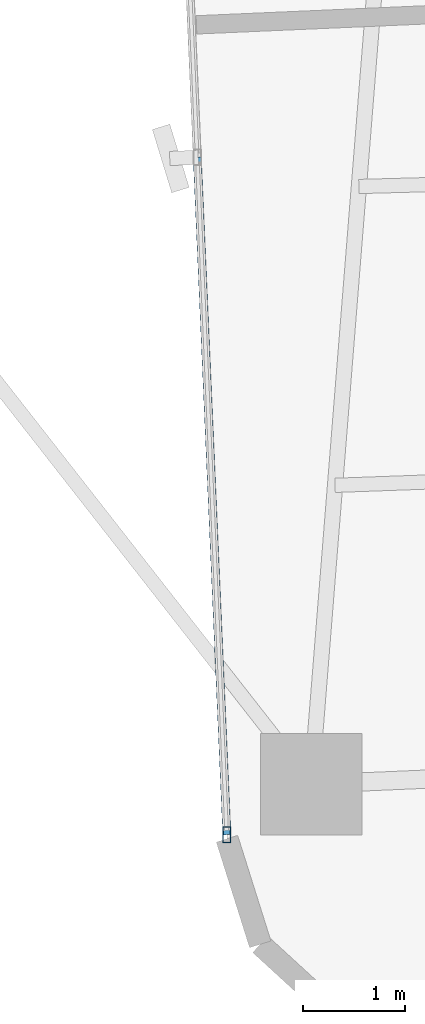
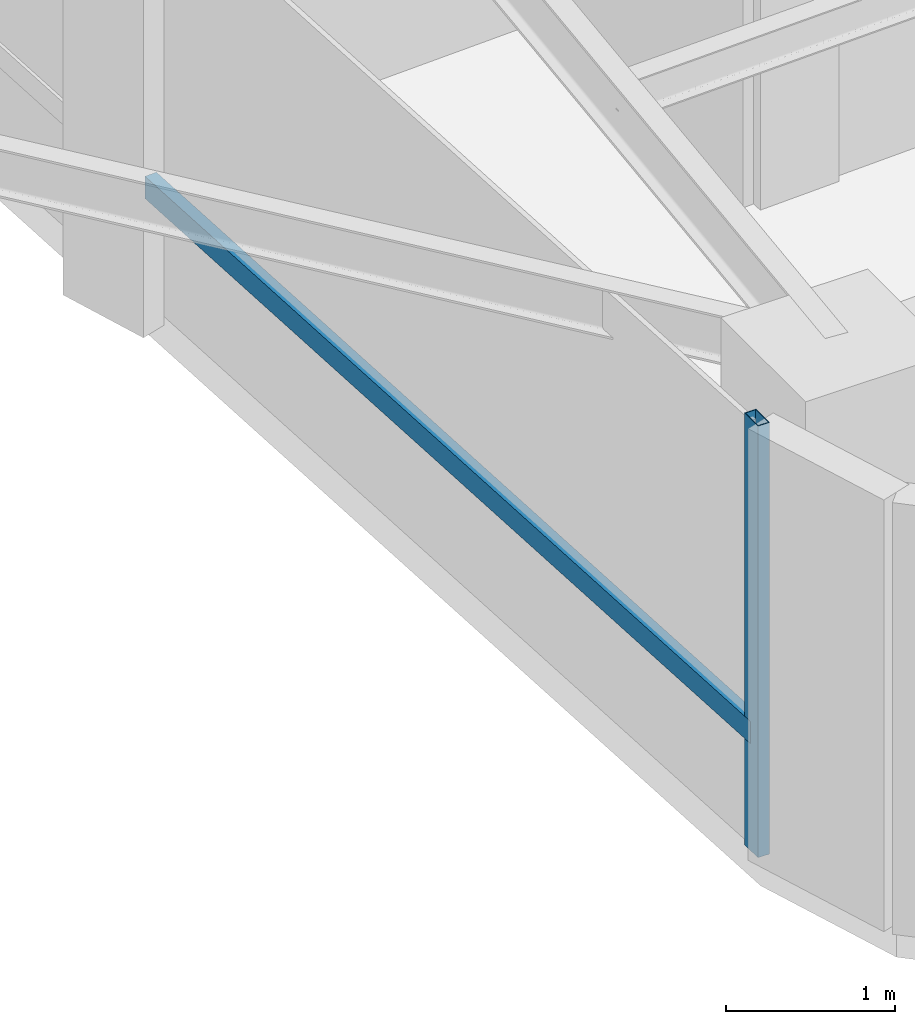
# One storey, part 2 of 26: 2 members, 1 element without a shape of its own.
"""IFC4 building model written with IfcOpenShell, lengths in metres."""

from ifc_helpers import new_model, si_unit, direction, frame, origin, origin_2d, place, context, subcontext, project, spatial, hollow_rectangle, extrude, source, transform, mapped, material, material_profile, profile_set, type_object, element, aggregate, save


model = new_model("IFC4")

# Units and contexts
model_context = context("Model", 3, precision=1e-05, world=origin(), true_north=direction((0.0, 1.0)))
body_context = subcontext(model_context, "Body", "Model", "MODEL_VIEW")
ifc_project = project(units=[si_unit("LENGTHUNIT", "METRE"), si_unit("AREAUNIT", "SQUARE_METRE"), si_unit("VOLUMEUNIT", "CUBIC_METRE"), si_unit("PLANEANGLEUNIT", "RADIAN"), si_unit("MASSUNIT", "GRAM", prefix="KILO")], contexts=[model_context])

# Site, building, storey
site_placement = place(None, origin())
site = spatial("IfcSite", under=ifc_project, at=site_placement, CompositionType="ELEMENT")
building_placement = place(site_placement, origin())
building = spatial("IfcBuilding", under=site, at=building_placement, Name="Sahyath Konkavel Grand Hotel", CompositionType="ELEMENT")
storey_placement = place(building_placement, frame((0.0, 0.0, 124.85009765625)))
storey = spatial("IfcBuildingStorey", under=building, at=storey_placement, Name="L34", CompositionType="ELEMENT", Elevation=124.85009765625)

# Curtain wall, members
ifc_material_1 = material(Name="Anodised Bronze Aluminium & Low-E Glazing", Category="aluminium")
curtain_wall_type = type_object("IfcCurtainWallType", Name="CW-ZONE2", PredefinedType="NOTDEFINED", material=ifc_material_1)
curtain_wall_placement = place(storey_placement, origin())
curtain_wall = element("IfcCurtainWall", 1, at=curtain_wall_placement, inside=storey, type_object=curtain_wall_type, Name="L34 Unitised Curtain Wall F24", PredefinedType="NOTDEFINED")
ifc_material_2 = material(Name="Anodised Bronze Aluminium", Category="aluminium")
ifc_material_profile_1 = material_profile(ifc_material_2, hollow_rectangle(XDim=0.080078125, YDim=0.159912109375, WallThickness=0.006103515625, at=origin_2d()), Name="RHS 160x80x6")
ifc_profile_set_1 = profile_set([ifc_material_profile_1], Name="Anodised Bronze Aluminium")
member_type_1 = type_object("IfcMemberType", Name="CW-MUL-160", PredefinedType="MULLION", material=ifc_profile_set_1)
shared_shape_1 = source(origin(), body_context, "Body", "SweptSolid", [
    extrude(hollow_rectangle(XDim=0.080078125, YDim=0.159912109375, WallThickness=0.006103515625, at=origin_2d()), origin(), (0.0, 0.0, 1.0), 3.10986328125),
])
member_1_placement = place(storey_placement, frame((-5.605224609375, -22.92626953125, 0.0), z_axis=(0.0, 0.0, 1.0), x_axis=(1.0, 0.0, 0.0)))
member_1 = element("IfcMember", 2, at=member_1_placement, type_object=member_type_1, Name="L34 Curtain Wall Mullion F24-2", PredefinedType="MULLION", context=body_context, shape_type="MappedRepresentation", body=[
    mapped(shared_shape_1, transform((0.0, 0.0, 0.0), scale=1.0)),
])
ifc_material_profile_2 = material_profile(ifc_material_2, hollow_rectangle(XDim=0.080078125, YDim=0.159912109375, WallThickness=0.006103515625, at=origin_2d()), Name="RHS 160x80x6")
ifc_profile_set_2 = profile_set([ifc_material_profile_2], Name="Anodised Bronze Aluminium")
member_type_2 = type_object("IfcMemberType", Name="CW-TRN-160", PredefinedType="USERDEFINED", material=ifc_profile_set_2)
shared_shape_2 = source(origin(), body_context, "Body", "SweptSolid", [
    extrude(hollow_rectangle(XDim=0.080078125, YDim=0.159912109375, WallThickness=0.006103515625, at=origin_2d()), origin(), (0.0, 0.0, 1.0), 6.659912109375),
])
member_2_placement = place(storey_placement, frame((-5.895751953125, -16.272705078125, 0.849853515625), z_axis=(0.043623350741, -0.999048048529, 0.0), x_axis=(0.999048048529, 0.043623350741, 0.0)))
member_2 = element("IfcMember", 3, at=member_2_placement, type_object=member_type_2, Name="L34 Curtain Wall Transom F24-1-spandrel", ObjectType="TRANSOM", PredefinedType="USERDEFINED", context=body_context, shape_type="MappedRepresentation", body=[
    mapped(shared_shape_2, transform((0.0, 0.0, 0.0), scale=1.0)),
])
aggregate(curtain_wall, [member_1, member_2])

save(model, "model.ifc")
